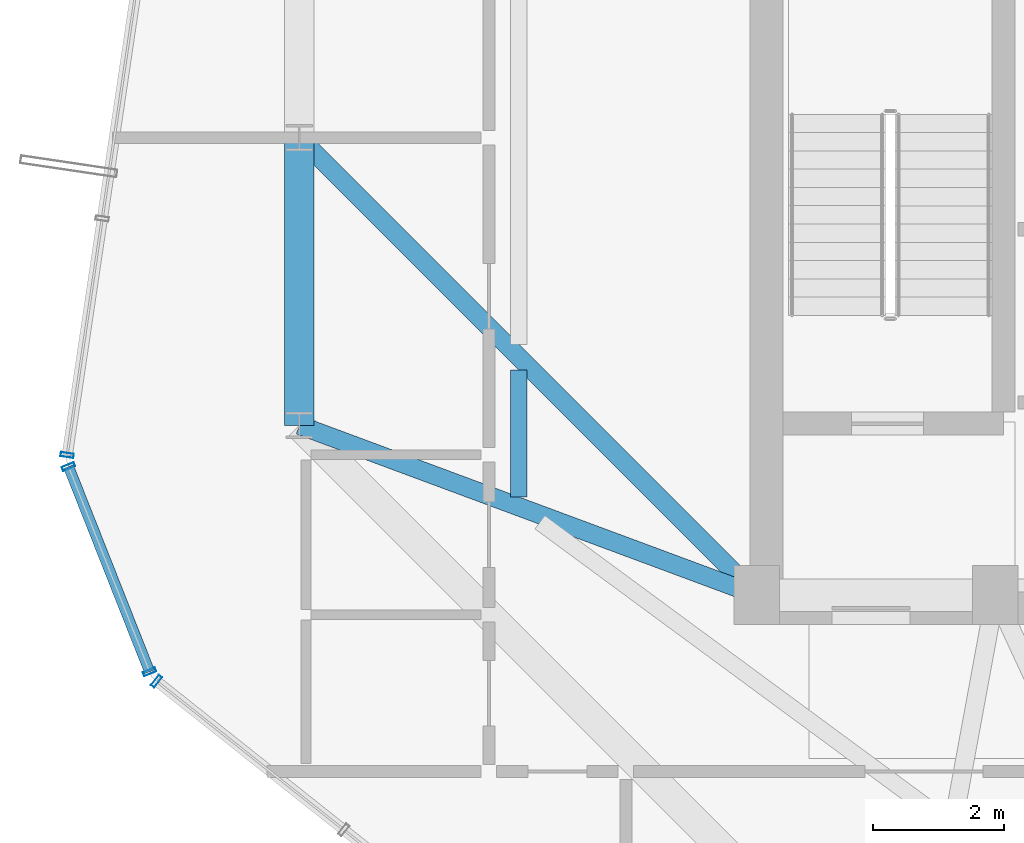
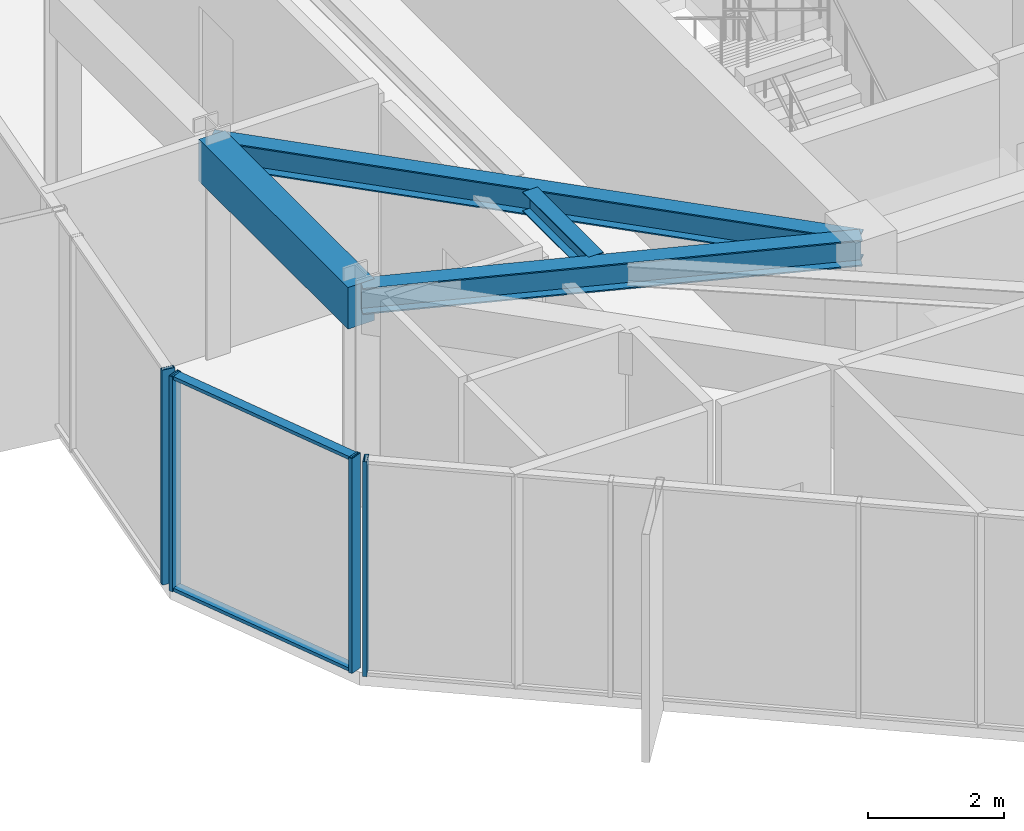
# One storey, part 4 of 22: 6 members, 4 beams, 3 elements without a shape of their own.
"""IFC4 building model written with IfcOpenShell, lengths in metres."""

from ifc_helpers import new_model, si_unit, direction, frame, origin, origin_2d, place, context, subcontext, project, spatial, rectangle, hollow_rectangle, i_section, extrude, source, transform, mapped, material, layer, layer_set, material_profile, profile_set, type_object, element, aggregate, save


model = new_model("IFC4")

# Units and contexts
model_context = context("Model", 3, precision=1e-05, world=origin(), true_north=direction((0.0, 1.0)))
body_context = subcontext(model_context, "Body", "Model", "MODEL_VIEW")
ifc_project = project(units=[si_unit("LENGTHUNIT", "METRE"), si_unit("AREAUNIT", "SQUARE_METRE"), si_unit("VOLUMEUNIT", "CUBIC_METRE"), si_unit("PLANEANGLEUNIT", "RADIAN"), si_unit("MASSUNIT", "GRAM", prefix="KILO")], contexts=[model_context])

# Site, building, storey
site_placement = place(None, origin())
site = spatial("IfcSite", under=ifc_project, at=site_placement, CompositionType="ELEMENT")
building_placement = place(site_placement, origin())
building = spatial("IfcBuilding", under=site, at=building_placement, Name="Veraguas Prism Commons", CompositionType="ELEMENT")
storey_placement = place(building_placement, frame((0.0, 0.0, 236.550048828125)))
storey = spatial("IfcBuildingStorey", under=building, at=storey_placement, Name="L67", CompositionType="ELEMENT", Elevation=236.550048828125)

# Beams
ifc_material_1 = material(Name="Concrete C50/60", Category="concrete")
ifc_material_profile_1 = material_profile(ifc_material_1, rectangle(XDim=0.449951171875, YDim=0.75, at=origin_2d()), Name="RC450X750")
ifc_profile_set_1 = profile_set([ifc_material_profile_1], Name="Concrete C50/60")
beam_type_1 = type_object("IfcBeamType", Name="Perimeter Spandrel Upper RC 450x750", PredefinedType="SPANDREL", material=ifc_profile_set_1)
beam_1_placement = place(storey_placement, frame((10.199951171875, 24.0, 3.489990234375), z_axis=(0.0, -1.0, 0.0), x_axis=(1.0, 0.0, 0.0)))
element("IfcBeam", 1, at=beam_1_placement, inside=storey, type_object=beam_type_1, Name="Perimeter Spandrel Beam L67-SP08", PredefinedType="SPANDREL", context=body_context, shape_type="SweptSolid", body=[
    extrude(rectangle(XDim=0.449951171875, YDim=0.75, at=origin_2d()), origin(), (0.0, 0.0, 1.0), 4.39990234375),
])
ifc_material_2 = material(Name="Steel ASTM A992 Grade 50", Category="steel")
ifc_material_profile_2 = material_profile(ifc_material_2, i_section(OverallWidth=0.25390625, OverallDepth=0.35302734375, WebThickness=0.009521484375, FlangeThickness=0.016357421875, at=origin_2d()), Name="W360X91")
ifc_profile_set_2 = profile_set([ifc_material_profile_2], Name="Steel ASTM A992 Grade 50")
beam_type_2 = type_object("IfcBeamType", Name="Upper Floor Joist W360x91", PredefinedType="JOIST", material=ifc_profile_set_2)
beam_2_placement = place(storey_placement, frame((13.56005859375, 20.442626953125, 3.6884765625), z_axis=(0.0, -1.0, 0.0), x_axis=(1.0, 0.0, 0.0)))
element("IfcBeam", 2, at=beam_2_placement, inside=storey, type_object=beam_type_2, Name="Composite Floor Joist L67-JS08", PredefinedType="JOIST", context=body_context, shape_type="SweptSolid", body=[
    extrude(i_section(OverallWidth=0.25390625, OverallDepth=0.35302734375, WebThickness=0.009521484375, FlangeThickness=0.016357421875, at=origin_2d()), origin(), (0.0, 0.0, 1.0), 1.94189453125),
])
ifc_material_profile_3 = material_profile(ifc_material_2, i_section(OverallWidth=0.282958984375, OverallDepth=0.471923828125, WebThickness=0.013671875, FlangeThickness=0.022216796875, at=origin_2d()), Name="W460X144")
ifc_profile_set_3 = profile_set([ifc_material_profile_3], Name="Steel ASTM A992 Grade 50")
beam_type_3 = type_object("IfcBeamType", Name="Zone 4 Radial Girder W460x144", PredefinedType="BEAM", material=ifc_profile_set_3)
beam_3_placement = place(storey_placement, frame((10.199951171875, 24.0, 3.62890625), z_axis=(0.707106781187, -0.707106781187, 0.0), x_axis=(0.707106781187, 0.707106781187, 0.0)))
element("IfcBeam", 3, at=beam_3_placement, inside=storey, type_object=beam_type_3, Name="Radial Floor Girder L67-RD08", PredefinedType="BEAM", context=body_context, shape_type="SweptSolid", body=[
    extrude(i_section(OverallWidth=0.282958984375, OverallDepth=0.471923828125, WebThickness=0.013671875, FlangeThickness=0.022216796875, at=origin_2d()), origin(), (0.0, 0.0, 1.0), 9.8994140625),
])
beam_4_placement = place(storey_placement, frame((10.199951171875, 19.60009765625, 3.62890625), z_axis=(0.937421003341, -0.348198021958, 0.0), x_axis=(0.348198021958, 0.937421003341, 0.0)))
element("IfcBeam", 4, at=beam_4_placement, inside=storey, type_object=beam_type_3, Name="Radial Floor Girder L67-RD09", PredefinedType="BEAM", context=body_context, shape_type="SweptSolid", body=[
    extrude(i_section(OverallWidth=0.282958984375, OverallDepth=0.471923828125, WebThickness=0.013671875, FlangeThickness=0.022216796875, at=origin_2d()), origin(), (0.0, 0.0, 1.0), 7.46728515625),
])

# Curtain wall, member
ifc_material_3 = material(Name="Anodised aluminium EN AW-6063 T6", Category="aluminium")
ifc_layer = layer(ifc_material_3, 0.199951171875, Name="Sky Lobby and Pool Acoustic Curtain Wall", Category="aluminium")
ifc_layer_set = layer_set([ifc_layer], Name="Anodised aluminium EN AW-6063 T6")
curtain_wall_type = type_object("IfcCurtainWallType", Name="Sky Lobby and Pool Acoustic Curtain Wall", PredefinedType="NOTDEFINED", material=ifc_layer_set)
curtain_wall_1_placement = place(storey_placement, origin())
curtain_wall_1 = element("IfcCurtainWall", 5, at=curtain_wall_1_placement, inside=storey, type_object=curtain_wall_type, Name="Tower Facade Curtain Wall L67-F3", PredefinedType="NOTDEFINED")
ifc_material_profile_4 = material_profile(ifc_material_3, hollow_rectangle(XDim=0.06494140625, YDim=0.199951171875, WallThickness=0.00390625, at=origin_2d()), Name="AL65X200X4")
ifc_profile_set_4 = profile_set([ifc_material_profile_4], Name="Anodised aluminium EN AW-6063 T6")
member_type_1 = type_object("IfcMemberType", Name="Curtain Wall Mullion Heavy AL 65x200x4", PredefinedType="MULLION", material=ifc_profile_set_4)
shared_shape_1 = source(origin(), body_context, "Body", "SweptSolid", [
    extrude(hollow_rectangle(XDim=0.06494140625, YDim=0.199951171875, WallThickness=0.00390625, at=origin_2d()), origin(), (0.0, 0.0, 1.0), 3.864990234375),
])
member_1_placement = place(storey_placement, frame((6.644775390625, 19.14404296875, 0.0), z_axis=(0.0, 0.0, 1.0), x_axis=(-0.146773635283, -0.989170106698, 0.0)))
member_1 = element("IfcMember", 6, at=member_1_placement, type_object=member_type_1, Name="CW-SKY Mullion 5", PredefinedType="MULLION", context=body_context, shape_type="MappedRepresentation", body=[
    mapped(shared_shape_1, transform((0.0, 0.0, 0.0), scale=1.0)),
])
aggregate(curtain_wall_1, [member_1])

curtain_wall_2_placement = place(storey_placement, origin())
curtain_wall_2 = element("IfcCurtainWall", 7, at=curtain_wall_2_placement, inside=storey, type_object=curtain_wall_type, Name="Tower Facade Curtain Wall L67-F4", PredefinedType="NOTDEFINED")
member_2_placement = place(storey_placement, frame((8.012939453125, 15.681884765625, 0.0), z_axis=(0.0, 0.0, 1.0), x_axis=(0.78325853836, -0.621696117155, 0.0)))
member_2 = element("IfcMember", 8, at=member_2_placement, type_object=member_type_1, Name="CW-SKY Mullion 1", PredefinedType="MULLION", context=body_context, shape_type="MappedRepresentation", body=[
    mapped(shared_shape_1, transform((0.0, 0.0, 0.0), scale=1.0)),
])
aggregate(curtain_wall_2, [member_2])

# Curtain wall, members
curtain_wall_3_placement = place(storey_placement, origin())
curtain_wall_3 = element("IfcCurtainWall", 9, at=curtain_wall_3_placement, inside=storey, type_object=curtain_wall_type, Name="Chamfer Curtain Wall L67-C4", PredefinedType="NOTDEFINED")
member_3_placement = place(storey_placement, frame((6.665283203125, 18.966552734375, 0.0), z_axis=(0.0, 0.0, 1.0), x_axis=(0.367496458279, -0.930024920716, 0.0)))
member_3 = element("IfcMember", 10, at=member_3_placement, type_object=member_type_1, Name="CW-SKY Mullion 1", PredefinedType="MULLION", context=body_context, shape_type="MappedRepresentation", body=[
    mapped(shared_shape_1, transform((0.0, 0.0, 0.0), scale=1.0)),
])
member_4_placement = place(storey_placement, frame((7.906494140625, 15.825439453125, 0.0), z_axis=(0.0, 0.0, 1.0), x_axis=(0.367496458279, -0.930024920716, 0.0)))
member_4 = element("IfcMember", 11, at=member_4_placement, type_object=member_type_1, Name="CW-SKY Mullion 2", PredefinedType="MULLION", context=body_context, shape_type="MappedRepresentation", body=[
    mapped(shared_shape_1, transform((0.0, 0.0, 0.0), scale=1.0)),
])
ifc_material_profile_5 = material_profile(ifc_material_3, hollow_rectangle(XDim=0.06005859375, YDim=0.159912109375, WallThickness=0.0029296875, at=origin_2d()), Name="AL60X160X3")
ifc_profile_set_5 = profile_set([ifc_material_profile_5], Name="Anodised aluminium EN AW-6063 T6")
member_type_2 = type_object("IfcMemberType", Name="Curtain Wall Transom Heavy AL 60x160x3", PredefinedType="USERDEFINED", material=ifc_profile_set_5)
shared_shape_2 = source(origin(), body_context, "Body", "SweptSolid", [
    extrude(hollow_rectangle(XDim=0.06005859375, YDim=0.159912109375, WallThickness=0.0029296875, at=origin_2d()), origin(), (0.0, 0.0, 1.0), 3.37744140625),
])
member_5_placement = place(storey_placement, frame((6.665283203125, 18.966552734375, 0.030029296875), z_axis=(0.36749896348, -0.930023930789, 0.0), x_axis=(0.0, 0.0, 1.0)))
member_5 = element("IfcMember", 12, at=member_5_placement, type_object=member_type_2, Name="CW-SKY Transom 1", ObjectType="TRANSOM", PredefinedType="USERDEFINED", context=body_context, shape_type="MappedRepresentation", body=[
    mapped(shared_shape_2, transform((0.0, 0.0, 0.0), scale=1.0)),
])
member_6_placement = place(storey_placement, frame((6.665283203125, 18.966552734375, 3.8349609375), z_axis=(0.36749896348, -0.930023930789, 0.0), x_axis=(0.0, 0.0, 1.0)))
member_6 = element("IfcMember", 13, at=member_6_placement, type_object=member_type_2, Name="CW-SKY Transom 2", ObjectType="TRANSOM", PredefinedType="USERDEFINED", context=body_context, shape_type="MappedRepresentation", body=[
    mapped(shared_shape_2, transform((0.0, 0.0, 0.0), scale=1.0)),
])
aggregate(curtain_wall_3, [member_3, member_4, member_5, member_6])

save(model, "model.ifc")
